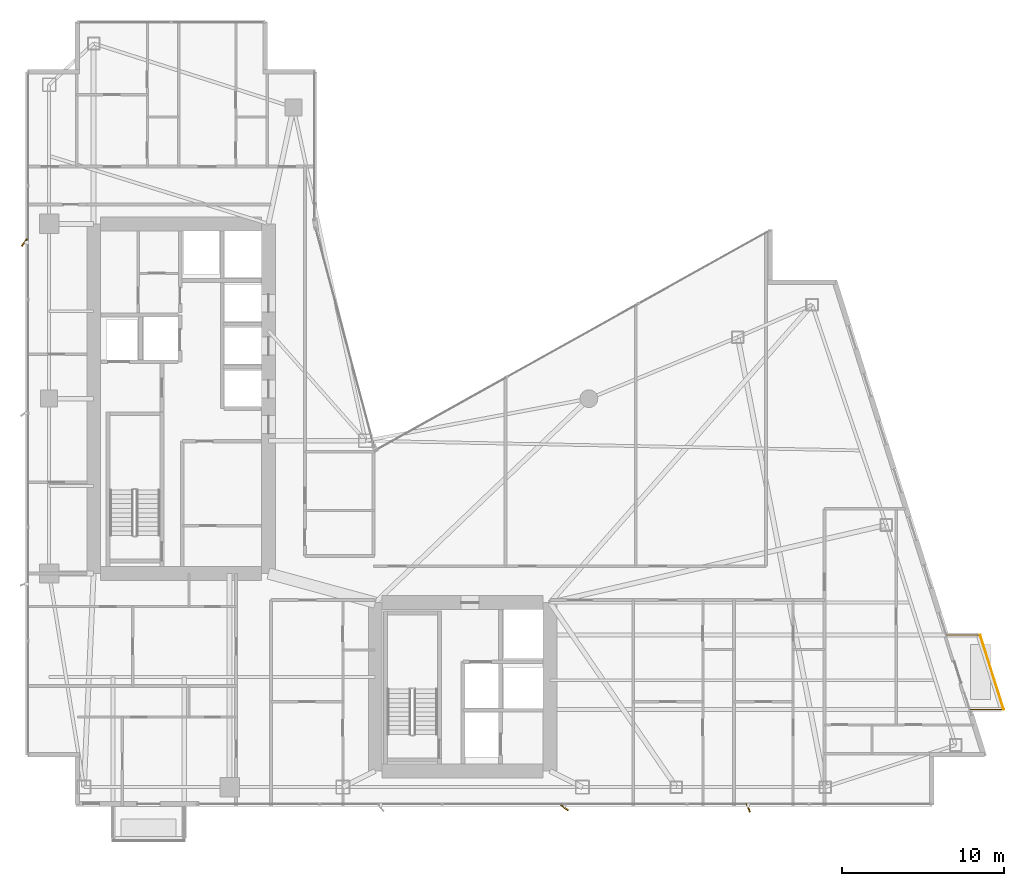
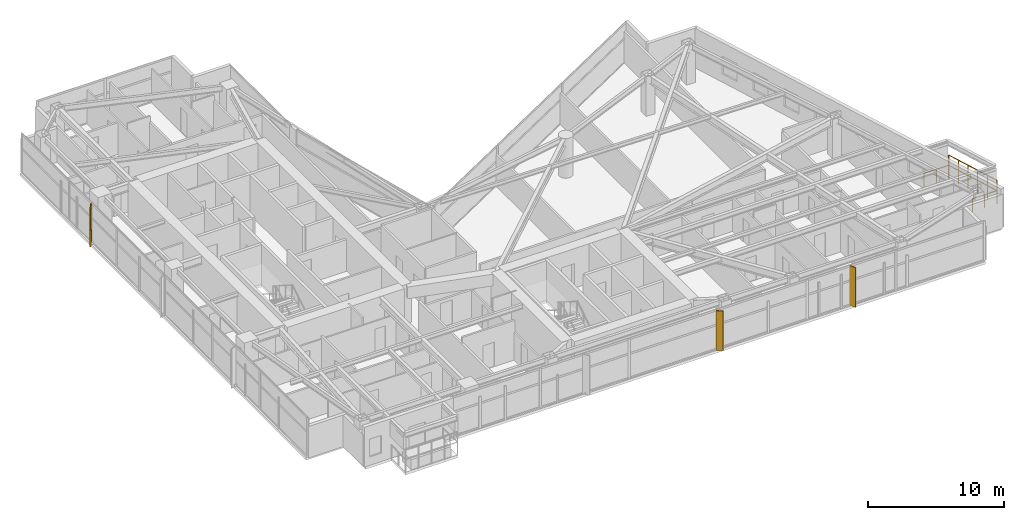
# One storey, part 29 of 29: 3 shading devices, 2 railings.
"""IFC4 building model written with IfcOpenShell, lengths in metres."""

from ifc_helpers import new_model, si_unit, direction, frame, origin, origin_2d, place, context, subcontext, project, spatial, rectangle, circle, extrude, material, type_object, element, save


model = new_model("IFC4")

# Units and contexts
model_context = context("Model", 3, precision=1e-05, world=origin(), true_north=direction((0.0, 1.0)))
body_context = subcontext(model_context, "Body", "Model", "MODEL_VIEW")
ifc_project = project(units=[si_unit("LENGTHUNIT", "METRE"), si_unit("AREAUNIT", "SQUARE_METRE"), si_unit("VOLUMEUNIT", "CUBIC_METRE"), si_unit("PLANEANGLEUNIT", "RADIAN"), si_unit("MASSUNIT", "GRAM", prefix="KILO")], contexts=[model_context])

# Site, building, storey
site_placement = place(None, origin())
site = spatial("IfcSite", under=ifc_project, at=site_placement, CompositionType="ELEMENT")
building_placement = place(site_placement, origin())
building = spatial("IfcBuilding", under=site, at=building_placement, Name="Calvorn Quay Hotel", CompositionType="ELEMENT")
storey_placement = place(building_placement, frame((0.0, 0.0, 120.199951171875)))
storey = spatial("IfcBuildingStorey", under=building, at=storey_placement, Name="L29", CompositionType="ELEMENT", Elevation=120.199951171875)

# Railings
ifc_material_1 = material(Name="Pale Anodised Aluminium and Laminated Glass", Category="aluminium")
railing_type = type_object("IfcRailingType", Name="RLG-BALUSTRADE-1200", PredefinedType="BALUSTRADE", material=ifc_material_1)
railing_1_placement = place(storey_placement, frame((58.327880859375, 8.39990234375, 0.0)))
element("IfcRailing", 1, at=railing_1_placement, inside=storey, type_object=railing_type, Name="Tree Balcony Perimeter Balustrade L29-BALC-E", PredefinedType="BALUSTRADE", context=body_context, shape_type="SweptSolid", body=[
    extrude(circle(Radius=0.02392578125, at=origin_2d()), frame((0.0, 0.0, 1.17578125), z_axis=(1.0, 0.0, 0.0), x_axis=(0.0, 1.0, 0.0)), (0.0, 0.0, 1.0), 2.10009765625),
    extrude(circle(Radius=0.02392578125, at=origin_2d()), frame((2.10009765625, 0.0, 1.17578125), z_axis=(-0.300620172346, 0.953743944662, 0.0), x_axis=(-0.953743944662, -0.300620172346, 0.0)), (0.0, 0.0, 1.0), 4.8232421875),
    extrude(circle(Radius=0.02392578125, at=origin_2d()), frame((0.650146484375, 4.60009765625, 1.17578125), z_axis=(-1.0, 0.0, 0.0), x_axis=(0.0, -1.0, 0.0)), (0.0, 0.0, 1.0), 2.10009765625),
    extrude(circle(Radius=0.02099609375, at=origin_2d()), origin(), (0.0, 0.0, 1.0), 1.15185546875),
    extrude(circle(Radius=0.02099609375, at=origin_2d()), frame((1.050048828125, 0.0, 0.0)), (0.0, 0.0, 1.0), 1.15185546875),
    extrude(circle(Radius=0.02099609375, at=origin_2d()), frame((2.10009765625, 0.0, 0.0)), (0.0, 0.0, 1.0), 1.15185546875),
    extrude(circle(Radius=0.02099609375, at=origin_2d()), frame((1.81005859375, 0.919921875, 0.0)), (0.0, 0.0, 1.0), 1.15185546875),
    extrude(circle(Radius=0.02099609375, at=origin_2d()), frame((1.52001953125, 1.840087890625, 0.0)), (0.0, 0.0, 1.0), 1.15185546875),
    extrude(circle(Radius=0.02099609375, at=origin_2d()), frame((1.230224609375, 2.760009765625, 0.0)), (0.0, 0.0, 1.0), 1.15185546875),
    extrude(circle(Radius=0.02099609375, at=origin_2d()), frame((0.940185546875, 3.68017578125, 0.0)), (0.0, 0.0, 1.0), 1.15185546875),
    extrude(circle(Radius=0.02099609375, at=origin_2d()), frame((0.650146484375, 4.60009765625, 0.0)), (0.0, 0.0, 1.0), 1.15185546875),
    extrude(circle(Radius=0.02099609375, at=origin_2d()), frame((-0.39990234375, 4.60009765625, 0.0)), (0.0, 0.0, 1.0), 1.15185546875),
    extrude(circle(Radius=0.02099609375, at=origin_2d()), frame((-1.449951171875, 4.60009765625, 0.0)), (0.0, 0.0, 1.0), 1.15185546875),
])
railing_2_placement = place(storey_placement, frame((60.427978515625, 8.39990234375, 0.900146484375)))
element("IfcRailing", 2, at=railing_2_placement, inside=storey, type_object=railing_type, Name="Planter Kerb High Safety Screen L29-BALC-E", PredefinedType="BALUSTRADE", context=body_context, shape_type="SweptSolid", body=[
    extrude(circle(Radius=0.02392578125, at=origin_2d()), frame((0.0, 0.0, 1.19580078125), z_axis=(-0.300620172346, 0.953743944662, 0.0), x_axis=(-0.953743944662, -0.300620172346, 0.0)), (0.0, 0.0, 1.0), 4.8232421875),
    extrude(circle(Radius=0.02099609375, at=origin_2d()), origin(), (0.0, 0.0, 1.0), 1.171875),
    extrude(circle(Radius=0.02099609375, at=origin_2d()), frame((-0.2900390625, 0.919921875, 0.0)), (0.0, 0.0, 1.0), 1.171875),
    extrude(circle(Radius=0.02099609375, at=origin_2d()), frame((-0.580078125, 1.840087890625, 0.0)), (0.0, 0.0, 1.0), 1.171875),
    extrude(circle(Radius=0.02099609375, at=origin_2d()), frame((-0.869873046875, 2.760009765625, 0.0)), (0.0, 0.0, 1.0), 1.171875),
    extrude(circle(Radius=0.02099609375, at=origin_2d()), frame((-1.159912109375, 3.68017578125, 0.0)), (0.0, 0.0, 1.0), 1.171875),
    extrude(circle(Radius=0.02099609375, at=origin_2d()), frame((-1.449951171875, 4.60009765625, 0.0)), (0.0, 0.0, 1.0), 1.171875),
])

# Shading devices
ifc_material_2 = material(Name="Champagne Bronze Anodised Aluminium 6063-T6", Category="aluminium")
shading_device_type_1 = type_object("IfcShadingDeviceType", Name="SHD-FIN-A1", PredefinedType="USERDEFINED", material=ifc_material_2)
shading_device_placement = place(storey_placement, frame((44.64990234375, 2.320068359375, 0.0), z_axis=(0.0, 0.0, 1.0), x_axis=(-0.374606593416, 0.927183854567, 0.0)))
element("IfcShadingDevice", 3, at=shading_device_placement, inside=storey, type_object=shading_device_type_1, Name="Diagonal Sun-Shading Fin L29-S03", ObjectType="FIN", PredefinedType="USERDEFINED", context=body_context, shape_type="SweptSolid", body=[
    extrude(rectangle(XDim=0.550048828125, YDim=0.080078125, at=origin_2d()), origin(), (0.0, 0.0, 1.0), 3.56005859375),
])
ifc_material_3 = material(Name="Champagne Bronze Anodised Aluminium 6063-T6", Category="aluminium")
shading_device_type_2 = type_object("IfcShadingDeviceType", Name="SHD-FIN-A3", PredefinedType="USERDEFINED", material=ifc_material_3)
for number, where, z_axis, x_axis, name in (
    (4, (-0.080078125, 37.25, 0.0), (0.0, 0.0, 1.0), (0.587785252292, 0.809016994375, 0.0), "Diagonal Sun-Shading Fin L29-W03"),
    (5, (33.300048828125, 2.320068359375, 0.0), (0.0, 0.0, 1.0), (-0.809016994375, 0.587785252292, 0.0), "Diagonal Sun-Shading Fin L29-S02"),
):
    element("IfcShadingDevice", number, at=place(storey_placement, frame(where, z_axis=z_axis, x_axis=x_axis)), inside=storey, type_object=shading_device_type_2, Name=name, ObjectType="FIN", PredefinedType="USERDEFINED", context=body_context, shape_type="SweptSolid", body=[
        extrude(rectangle(XDim=0.550048828125, YDim=0.080078125, at=origin_2d()), origin(), (0.0, 0.0, 1.0), 3.56005859375),
    ])

save(model, "model.ifc")
